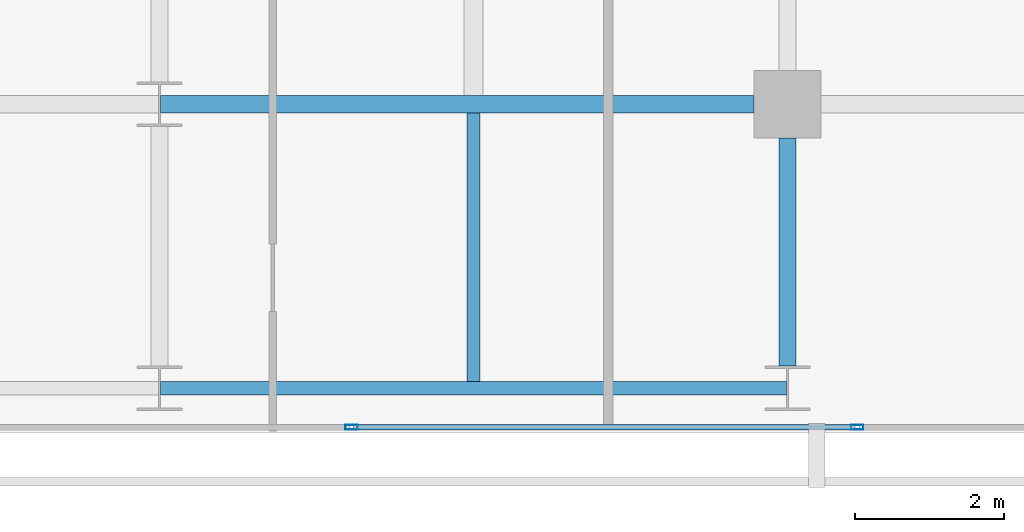
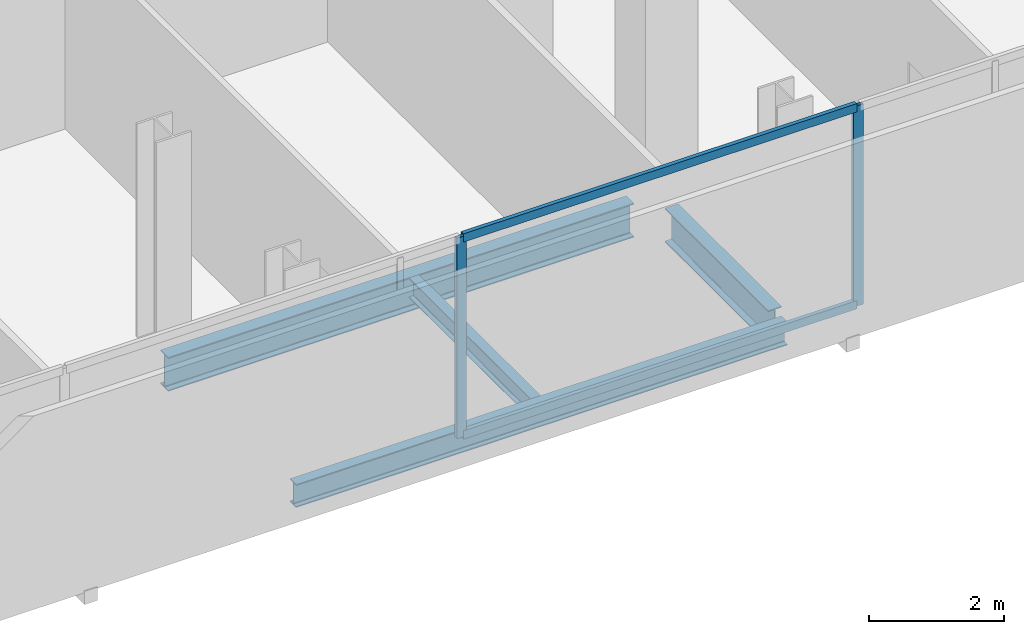
# One storey, part 12 of 33: 4 beams, 4 members, 1 element without a shape of its own.
"""IFC4 building model written with IfcOpenShell, lengths in metres."""

from ifc_helpers import new_model, si_unit, direction, frame, origin, origin_2d, place, context, subcontext, project, spatial, hollow_rectangle, i_section, extrude, material, layer, layer_set, material_profile, profile_set, type_object, element, aggregate, save


model = new_model("IFC4")

# Units and contexts
model_context = context("Model", 3, precision=1e-05, world=origin(), true_north=direction((0.0, 1.0)))
body_context = subcontext(model_context, "Body", "Model", "MODEL_VIEW")
ifc_project = project(units=[si_unit("LENGTHUNIT", "METRE"), si_unit("AREAUNIT", "SQUARE_METRE"), si_unit("VOLUMEUNIT", "CUBIC_METRE"), si_unit("PLANEANGLEUNIT", "RADIAN"), si_unit("MASSUNIT", "GRAM", prefix="KILO")], contexts=[model_context])

# Site, building, storey
site_placement = place(None, origin())
site = spatial("IfcSite", under=ifc_project, at=site_placement, CompositionType="ELEMENT")
building_placement = place(site_placement, origin())
building = spatial("IfcBuilding", under=site, at=building_placement, Name="Maruvema Waterfront Hotel and Observation Tower", CompositionType="ELEMENT")
storey_placement = place(building_placement, frame((0.0, 0.0, 138.949951171875)))
storey = spatial("IfcBuildingStorey", under=building, at=storey_placement, Name="L33", CompositionType="ELEMENT", Elevation=138.949951171875)

# Curtain wall, members
ifc_material_1 = material(Name="Anodised bronze aluminium and solar-control low-E IGU", Category="aluminium")
ifc_layer = layer(ifc_material_1, 0.159912109375, Name="Zone 2 Amber Inner Thermal Curtain Wall System CW-03")
ifc_layer_set = layer_set([ifc_layer], Name="Anodised bronze aluminium and solar-control low-E IGU")
curtain_wall_type = type_object("IfcCurtainWallType", Name="Zone 2 Amber Inner Thermal Curtain Wall System CW-03", PredefinedType="USERDEFINED", material=ifc_layer_set)
curtain_wall_placement = place(storey_placement, origin())
curtain_wall = element("IfcCurtainWall", 1, at=curtain_wall_placement, inside=storey, type_object=curtain_wall_type, Name="L33 Curtain Wall CW-L33-S", ObjectType="UNITISED CURTAIN WALL", PredefinedType="USERDEFINED")
ifc_material_2 = material(Name="Anodised architectural bronze aluminium", Category="aluminium")
ifc_material_profile_1 = material_profile(ifc_material_2, hollow_rectangle(XDim=0.070068359375, YDim=0.14990234375, WallThickness=0.00390625, at=origin_2d()), Name="ALU-T70x150")
ifc_profile_set_1 = profile_set([ifc_material_profile_1], Name="Anodised architectural bronze aluminium")
member_type_1 = type_object("IfcMemberType", Name="Curtain Wall Horizontal Transom ALU-T70x150", PredefinedType="USERDEFINED", material=ifc_profile_set_1)
member_1_placement = place(storey_placement, frame((44.5966796875, 4.679931640625, 0.030029296875), z_axis=(1.0, 0.0, 0.0), x_axis=(0.0, 1.0, 0.0)))
member_1 = element("IfcMember", 2, at=member_1_placement, type_object=member_type_1, Name="CW-03 transom 5.1", ObjectType="TRANSOM", PredefinedType="USERDEFINED", context=body_context, shape_type="SweptSolid", body=[
    extrude(hollow_rectangle(XDim=0.070068359375, YDim=0.14990234375, WallThickness=0.00390625, at=origin_2d()), origin(), (0.0, 0.0, 1.0), 6.70654296875),
])
member_2_placement = place(storey_placement, frame((44.5966796875, 4.679931640625, 3.580078125), z_axis=(1.0, 0.0, 0.0), x_axis=(0.0, 1.0, 0.0)))
member_2 = element("IfcMember", 3, at=member_2_placement, type_object=member_type_1, Name="CW-03 transom 5.2", ObjectType="TRANSOM", PredefinedType="USERDEFINED", context=body_context, shape_type="SweptSolid", body=[
    extrude(hollow_rectangle(XDim=0.070068359375, YDim=0.14990234375, WallThickness=0.00390625, at=origin_2d()), origin(), (0.0, 0.0, 1.0), 6.70654296875),
])
ifc_material_3 = material(Name="Anodised architectural bronze aluminium", Category="aluminium")
ifc_material_profile_2 = material_profile(ifc_material_3, hollow_rectangle(XDim=0.06494140625, YDim=0.1650390625, WallThickness=0.00390625, at=origin_2d()), Name="ALU-M65x165")
ifc_profile_set_2 = profile_set([ifc_material_profile_2], Name="Anodised architectural bronze aluminium")
member_type_2 = type_object("IfcMemberType", Name="Curtain Wall Primary Mullion ALU-M65x165", PredefinedType="MULLION", material=ifc_profile_set_2)
member_3_placement = place(storey_placement, frame((44.566650390625, 4.679931640625, 0.0), z_axis=(0.0, 0.0, 1.0), x_axis=(0.0, 1.0, 0.0)))
member_3 = element("IfcMember", 4, at=member_3_placement, type_object=member_type_2, Name="CW-03 mullion 5", PredefinedType="MULLION", context=body_context, shape_type="SweptSolid", body=[
    extrude(hollow_rectangle(XDim=0.06494140625, YDim=0.1650390625, WallThickness=0.00390625, at=origin_2d()), origin(), (0.0, 0.0, 1.0), 3.610107421875),
])
member_4_placement = place(storey_placement, frame((51.333251953125, 4.679931640625, 0.0), z_axis=(0.0, 0.0, 1.0), x_axis=(0.0, 1.0, 0.0)))
member_4 = element("IfcMember", 5, at=member_4_placement, type_object=member_type_2, Name="CW-03 mullion 6", PredefinedType="MULLION", context=body_context, shape_type="SweptSolid", body=[
    extrude(hollow_rectangle(XDim=0.06494140625, YDim=0.1650390625, WallThickness=0.00390625, at=origin_2d()), origin(), (0.0, 0.0, 1.0), 3.610107421875),
])
aggregate(curtain_wall, [member_3, member_4, member_1, member_2])

# Beams
ifc_material_4 = material(Name="Steel ASTM A572 Grade 50", Category="steel")
ifc_material_profile_3 = material_profile(ifc_material_4, i_section(OverallWidth=0.180908203125, OverallDepth=0.4169921875, WebThickness=0.010986328125, FlangeThickness=0.018310546875, FilletRadius=0.014892578125, at=origin_2d()), Name="W410x85.0")
ifc_profile_set_3 = profile_set([ifc_material_profile_3], Name="Steel ASTM A572 Grade 50")
beam_type_1 = type_object("IfcBeamType", Name="Perimeter Spandrel Beam W410x85.0", PredefinedType="SPANDREL", material=ifc_profile_set_3)
beam_1_placement = place(storey_placement, frame((42.012451171875, 5.199951171875, -0.448486328125), z_axis=(1.0, 0.0, 0.0), x_axis=(0.0, 1.0, 0.0)))
element("IfcBeam", 6, at=beam_1_placement, inside=storey, type_object=beam_type_1, Name="L33 Floor Girder EW-03", PredefinedType="SPANDREL", context=body_context, shape_type="SweptSolid", body=[
    extrude(i_section(OverallWidth=0.180908203125, OverallDepth=0.4169921875, WebThickness=0.010986328125, FlangeThickness=0.018310546875, FilletRadius=0.014892578125, at=origin_2d()), origin(), (0.0, 0.0, 1.0), 8.375),
])
ifc_material_5 = material(Name="Steel ASTM A572 Grade 50", Category="steel")
ifc_material_profile_4 = material_profile(ifc_material_5, i_section(OverallWidth=0.22900390625, OverallDepth=0.612060546875, WebThickness=0.011962890625, FlangeThickness=0.01953125, FilletRadius=0.01806640625, at=origin_2d()), Name="W610x125.0")
ifc_profile_set_4 = profile_set([ifc_material_profile_4], Name="Steel ASTM A572 Grade 50")
beam_type_2 = type_object("IfcBeamType", Name="Primary Floor Girder W610x125.0", PredefinedType="BEAM", material=ifc_profile_set_4)
beam_2_placement = place(storey_placement, frame((42.012451171875, 9.0, -0.5458984375), z_axis=(1.0, 0.0, 0.0), x_axis=(0.0, 1.0, 0.0)))
element("IfcBeam", 7, at=beam_2_placement, inside=storey, type_object=beam_type_2, Name="L33 Floor Girder EW-08", PredefinedType="BEAM", context=body_context, shape_type="SweptSolid", body=[
    extrude(i_section(OverallWidth=0.22900390625, OverallDepth=0.612060546875, WebThickness=0.011962890625, FlangeThickness=0.01953125, FilletRadius=0.01806640625, at=origin_2d()), origin(), (0.0, 0.0, 1.0), 7.9375),
])
beam_3_placement = place(storey_placement, frame((50.39990234375, 5.5, -0.5458984375), z_axis=(0.0, 1.0, 0.0), x_axis=(-1.0, 0.0, 0.0)))
element("IfcBeam", 8, at=beam_3_placement, inside=storey, type_object=beam_type_2, Name="L33 Floor Girder NS-20", PredefinedType="BEAM", context=body_context, shape_type="SweptSolid", body=[
    extrude(i_section(OverallWidth=0.22900390625, OverallDepth=0.612060546875, WebThickness=0.011962890625, FlangeThickness=0.01953125, FilletRadius=0.01806640625, at=origin_2d()), origin(), (0.0, 0.0, 1.0), 3.050048828125),
])
ifc_material_6 = material(Name="Steel ASTM A572 Grade 50", Category="steel")
ifc_material_profile_5 = material_profile(ifc_material_6, i_section(OverallWidth=0.1708984375, OverallDepth=0.35498046875, WebThickness=0.007080078125, FlangeThickness=0.01171875, FilletRadius=0.014892578125, at=origin_2d()), Name="W360x51.0")
ifc_profile_set_5 = profile_set([ifc_material_profile_5], Name="Steel ASTM A572 Grade 50")
beam_type_3 = type_object("IfcBeamType", Name="Secondary Floor Joist W360x51.0", PredefinedType="JOIST", material=ifc_profile_set_5)
beam_4_placement = place(storey_placement, frame((46.199951171875, 5.29052734375, -0.41748046875), z_axis=(0.0, 1.0, 0.0), x_axis=(-1.0, 0.0, 0.0)))
element("IfcBeam", 9, at=beam_4_placement, inside=storey, type_object=beam_type_3, Name="L33 Secondary Floor Joist JS-09", PredefinedType="JOIST", context=body_context, shape_type="SweptSolid", body=[
    extrude(i_section(OverallWidth=0.1708984375, OverallDepth=0.35498046875, WebThickness=0.007080078125, FlangeThickness=0.01171875, FilletRadius=0.014892578125, at=origin_2d()), origin(), (0.0, 0.0, 1.0), 3.594970703125),
])

save(model, "model.ifc")
